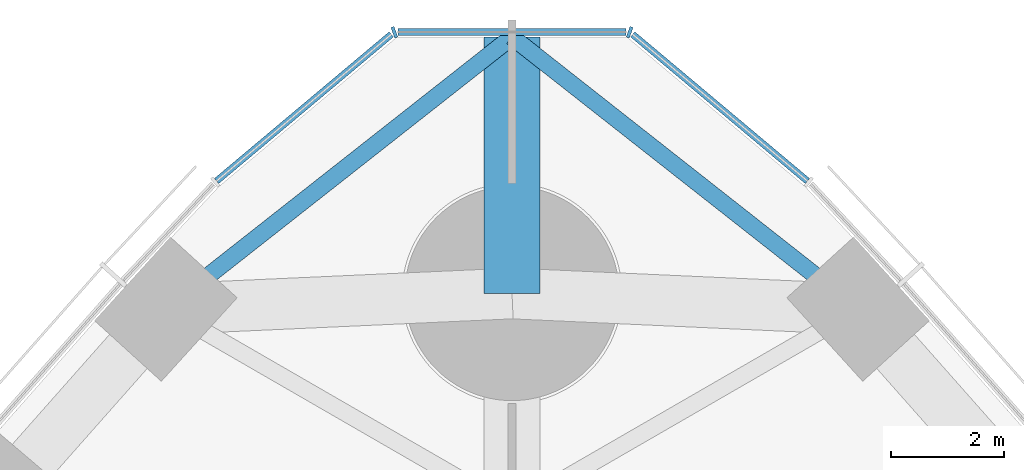
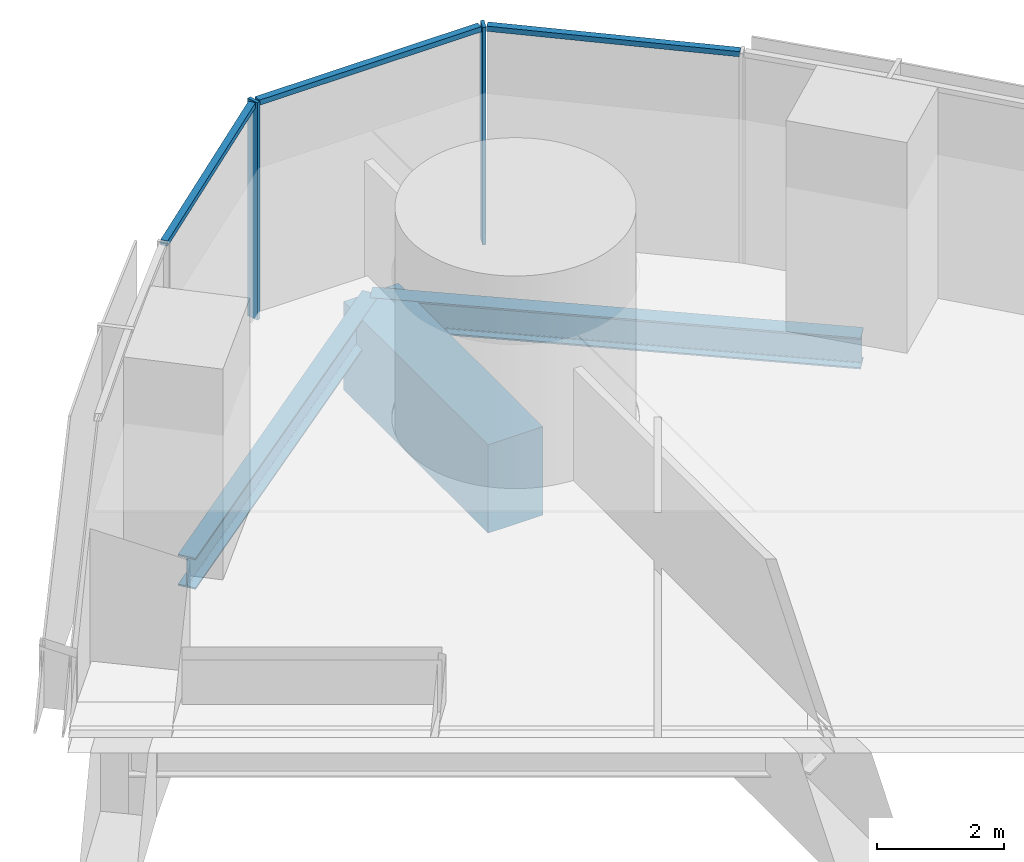
# One storey, part 8 of 18: 5 members, 3 beams, 1 element without a shape of its own.
"""IFC4 building model written with IfcOpenShell, lengths in metres."""

from ifc_helpers import new_model, si_unit, direction, frame, origin, origin_2d, place, context, subcontext, project, spatial, rectangle, i_section, extrude, material, material_profile, profile_set, type_object, element, aggregate, save


model = new_model("IFC4")

# Units and contexts
model_context = context("Model", 3, precision=1e-05, world=origin(), true_north=direction((0.0, 1.0)))
body_context = subcontext(model_context, "Body", "Model", "MODEL_VIEW")
ifc_project = project(units=[si_unit("LENGTHUNIT", "METRE"), si_unit("AREAUNIT", "SQUARE_METRE"), si_unit("VOLUMEUNIT", "CUBIC_METRE"), si_unit("PLANEANGLEUNIT", "RADIAN"), si_unit("MASSUNIT", "GRAM", prefix="KILO")], contexts=[model_context])

# Site, building, storey
site_placement = place(None, origin())
site = spatial("IfcSite", under=ifc_project, at=site_placement, CompositionType="ELEMENT")
building_placement = place(site_placement, origin())
building = spatial("IfcBuilding", under=site, at=building_placement, Name="Trefoil Bronze Tower", CompositionType="ELEMENT")
storey_placement = place(building_placement, frame((0.0, 0.0, 170.300048828125)))
storey = spatial("IfcBuildingStorey", under=building, at=storey_placement, Name="L39", CompositionType="ELEMENT", Elevation=170.300048828125)

# Curtain wall, members
ifc_material_1 = material(Name="Tinted solar-control glass", Category="glass")
curtain_wall_type = type_object("IfcCurtainWallType", Name="Bronze rounded corner curtain wall", PredefinedType="USERDEFINED", material=ifc_material_1)
curtain_wall_placement = place(storey_placement, origin())
curtain_wall = element("IfcCurtainWall", 1, at=curtain_wall_placement, inside=storey, type_object=curtain_wall_type, Name="CW-B L39 K2", ObjectType="CURTAIN WALL", PredefinedType="USERDEFINED")
ifc_material_2 = material(Name="Bronze-finish aluminium", Category="aluminium")
ifc_material_profile_1 = material_profile(ifc_material_2, rectangle(XDim=0.199951171875, YDim=0.06005859375, at=origin_2d()), Name="CW-B mullion")
ifc_profile_set_1 = profile_set([ifc_material_profile_1], Name="Bronze-finish aluminium")
member_type_1 = type_object("IfcMemberType", Name="Bronze rounded corner curtain wall mullion", PredefinedType="MULLION", material=ifc_profile_set_1)
member_1_placement = place(storey_placement, frame((2.08642578125, 39.631591796875, 0.0), z_axis=(0.0, 0.0, 1.0), x_axis=(-0.342020143326, -0.939692620786, 0.0)))
member_1 = element("IfcMember", 2, at=member_1_placement, type_object=member_type_1, Name="CW-B L39 K2 mullion 2", PredefinedType="MULLION", context=body_context, shape_type="SweptSolid", body=[
    extrude(rectangle(XDim=0.199951171875, YDim=0.06005859375, at=origin_2d()), origin(), (0.0, 0.0, 1.0), 4.179931640625),
])
member_2_placement = place(storey_placement, frame((-2.08642578125, 39.631591796875, 0.0), z_axis=(0.0, 0.0, 1.0), x_axis=(0.342020143326, -0.939692620786, 0.0)))
member_2 = element("IfcMember", 3, at=member_2_placement, type_object=member_type_1, Name="CW-B L39 K2 mullion 3", PredefinedType="MULLION", context=body_context, shape_type="SweptSolid", body=[
    extrude(rectangle(XDim=0.199951171875, YDim=0.06005859375, at=origin_2d()), origin(), (0.0, 0.0, 1.0), 4.179931640625),
])
ifc_material_3 = material(Name="Bronze-finish aluminium", Category="aluminium")
ifc_material_profile_2 = material_profile(ifc_material_3, rectangle(XDim=0.1201171875, YDim=0.10009765625, at=origin_2d()), Name="CW-B transom")
ifc_profile_set_2 = profile_set([ifc_material_profile_2], Name="Bronze-finish aluminium")
member_type_2 = type_object("IfcMemberType", Name="Bronze rounded corner curtain wall transom", PredefinedType="USERDEFINED", material=ifc_profile_set_2)
member_3_placement = place(storey_placement, frame((5.237548828125, 36.9951171875, 4.1298828125), z_axis=(-0.766049624684, 0.642781434487, 0.0), x_axis=(-0.642781434487, -0.766049624684, 0.0)))
member_3 = element("IfcMember", 4, at=member_3_placement, type_object=member_type_2, Name="CW-B L39 K2 transom 1", ObjectType="TRANSOM", PredefinedType="USERDEFINED", context=body_context, shape_type="SweptSolid", body=[
    extrude(rectangle(XDim=0.1201171875, YDim=0.10009765625, at=origin_2d()), origin(), (0.0, 0.0, 1.0), 4.04443359375),
])
member_4_placement = place(storey_placement, frame((2.022216796875, 39.637451171875, 4.1298828125), z_axis=(-1.0, 0.0, 0.0), x_axis=(0.0, -1.0, 0.0)))
member_4 = element("IfcMember", 5, at=member_4_placement, type_object=member_type_2, Name="CW-B L39 K2 transom 2", ObjectType="TRANSOM", PredefinedType="USERDEFINED", context=body_context, shape_type="SweptSolid", body=[
    extrude(rectangle(XDim=0.1201171875, YDim=0.10009765625, at=origin_2d()), origin(), (0.0, 0.0, 1.0), 4.04443359375),
])
member_5_placement = place(storey_placement, frame((-2.139404296875, 39.5947265625, 4.1298828125), z_axis=(-0.766049624684, -0.642781434487, 0.0), x_axis=(0.642781434487, -0.766049624684, 0.0)))
member_5 = element("IfcMember", 6, at=member_5_placement, type_object=member_type_2, Name="CW-B L39 K2 transom 3", ObjectType="TRANSOM", PredefinedType="USERDEFINED", context=body_context, shape_type="SweptSolid", body=[
    extrude(rectangle(XDim=0.1201171875, YDim=0.10009765625, at=origin_2d()), origin(), (0.0, 0.0, 1.0), 4.04443359375),
])
aggregate(curtain_wall, [member_1, member_2, member_3, member_4, member_5])

# Beams
ifc_material_4 = material(Name="Concrete B80", Category="concrete")
ifc_material_profile_3 = material_profile(ifc_material_4, rectangle(XDim=1.0, YDim=1.699951171875, at=origin_2d()), Name="RC 1000x1700")
ifc_profile_set_3 = profile_set([ifc_material_profile_3], Name="Concrete B80")
beam_type_1 = type_object("IfcBeamType", Name="Corner cantilever RC 1000x1700", PredefinedType="BEAM", material=ifc_profile_set_3)
beam_placement = place(storey_placement, frame((0.0, 35.0, -1.050048828125), z_axis=(0.0, 1.0, 0.0), x_axis=(-1.0, 0.0, 0.0)))
element("IfcBeam", 7, at=beam_placement, inside=storey, type_object=beam_type_1, Name="Corner cantilever K2 L39", PredefinedType="BEAM", context=body_context, shape_type="SweptSolid", body=[
    extrude(rectangle(XDim=1.0, YDim=1.699951171875, at=origin_2d()), origin(), (0.0, 0.0, 1.0), 4.54931640625),
])
ifc_material_5 = material(Name="Steel C355", Category="steel")
ifc_material_profile_4 = material_profile(ifc_material_5, i_section(OverallWidth=0.300048828125, OverallDepth=0.60009765625, WebThickness=0.015380859375, FlangeThickness=0.030029296875, FilletRadius=0.027099609375, at=origin_2d()), Name="HEB 600")
ifc_profile_set_4 = profile_set([ifc_material_profile_4], Name="Steel C355")
beam_type_2 = type_object("IfcBeamType", Name="Corner edge beam HEB 600", PredefinedType="BEAM", material=ifc_profile_set_4)
for number, where, z_axis, x_axis, name in (
    (8, (6.13916015625, 34.72119140625, -0.5), (-0.786038406433, 0.61817766347, 0.0), (-0.61817766347, -0.786038406433, 0.0), "Corner edge beam F2A L39"),
    (9, (-6.13916015625, 34.72119140625, -0.5), (0.786038406433, 0.61817766347, 0.0), (-0.61817766347, 0.786038406433, 0.0), "Corner edge beam F3B L39"),
):
    element("IfcBeam", number, at=place(storey_placement, frame(where, z_axis=z_axis, x_axis=x_axis)), inside=storey, type_object=beam_type_2, Name=name, PredefinedType="BEAM", context=body_context, shape_type="SweptSolid", body=[
        extrude(i_section(OverallWidth=0.300048828125, OverallDepth=0.60009765625, WebThickness=0.015380859375, FlangeThickness=0.030029296875, FilletRadius=0.027099609375, at=origin_2d()), origin(), (0.0, 0.0, 1.0), 7.810302734375),
    ])

save(model, "model.ifc")
